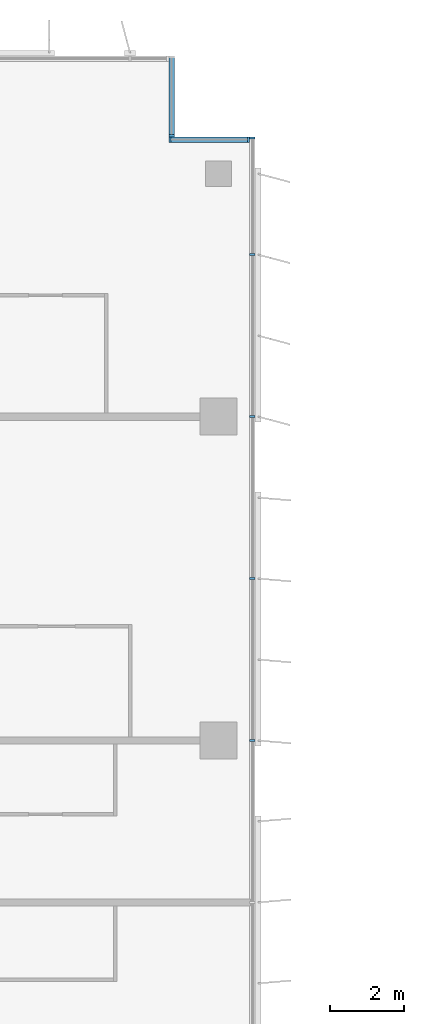
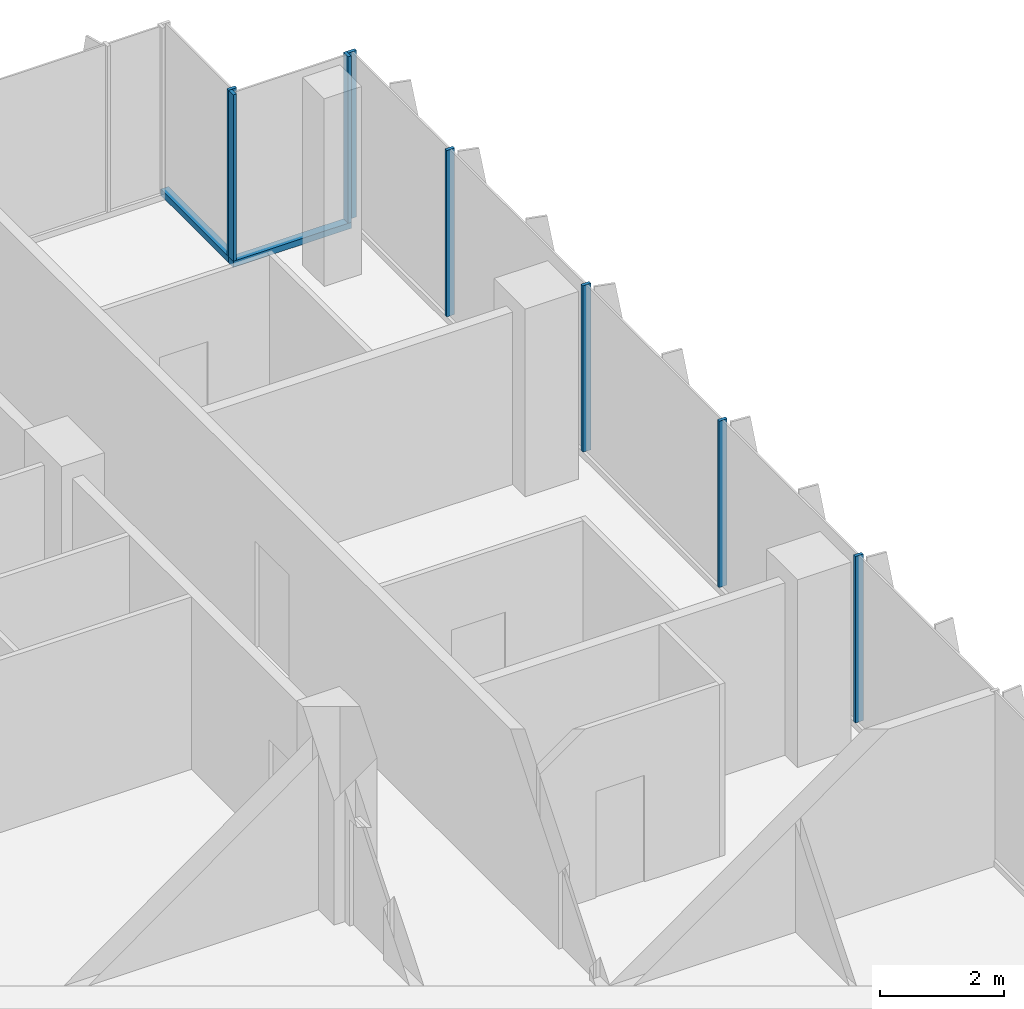
# One storey, part 7 of 21: 10 members, 3 elements without a shape of their own.
"""IFC4 building model written with IfcOpenShell, lengths in metres."""

from ifc_helpers import new_model, si_unit, direction, frame, origin, origin_2d, place, context, subcontext, project, spatial, rectangle, extrude, source, transform, mapped, material, material_profile, profile_set, type_object, element, aggregate, save


model = new_model("IFC4")

# Units and contexts
model_context = context("Model", 3, precision=1e-05, world=origin(), true_north=direction((0.0, 1.0)))
body_context = subcontext(model_context, "Body", "Model", "MODEL_VIEW")
ifc_project = project(units=[si_unit("LENGTHUNIT", "METRE"), si_unit("AREAUNIT", "SQUARE_METRE"), si_unit("VOLUMEUNIT", "CUBIC_METRE"), si_unit("PLANEANGLEUNIT", "RADIAN"), si_unit("MASSUNIT", "GRAM", prefix="KILO")], contexts=[model_context])

# Site, building, storey
site_placement = place(None, origin())
site = spatial("IfcSite", under=ifc_project, at=site_placement, CompositionType="ELEMENT")
building_placement = place(site_placement, origin())
building = spatial("IfcBuilding", under=site, at=building_placement, Name="Kemantara Hotel Tower", CompositionType="ELEMENT")
storey_placement = place(building_placement, frame((0.0, 0.0, 171.60009765625)))
storey = spatial("IfcBuildingStorey", under=building, at=storey_placement, Name="L42", CompositionType="ELEMENT", Elevation=171.60009765625)

# Curtain wall, member
ifc_material_1 = material(Name="Low-E tinted double insulated glass 36 mm", Category="glass")
curtain_wall_type = type_object("IfcCurtainWallType", Name="TOWER CURTAIN WALL, FRONT FACES", PredefinedType="USERDEFINED", material=ifc_material_1)
curtain_wall_1_placement = place(storey_placement, origin())
curtain_wall_1 = element("IfcCurtainWall", 1, at=curtain_wall_1_placement, inside=storey, type_object=curtain_wall_type, Name="CW4 L42 T3-R00-1", ObjectType="TOWER CURTAIN WALL, FRONT FACES", PredefinedType="USERDEFINED")
ifc_material_2 = material(Name="Aluminium 6063-T6 bronze anodised", Category="aluminium")
ifc_material_profile_1 = material_profile(ifc_material_2, rectangle(XDim=0.14990234375, YDim=0.1201171875, at=origin_2d()), Name="TOWER CURTAIN WALL, FRONT FACES TRANSOM")
ifc_profile_set_1 = profile_set([ifc_material_profile_1], Name="Aluminium 6063-T6 bronze anodised")
member_type_1 = type_object("IfcMemberType", Name="TOWER CURTAIN WALL, FRONT FACES TRANSOM", PredefinedType="USERDEFINED", material=ifc_profile_set_1)
member_1_placement = place(storey_placement, frame((21.85009765625, 61.324951171875, 0.059814453125), z_axis=(-1.0, 0.0, 0.0), x_axis=(0.0, -1.0, 0.0)))
member_1 = element("IfcMember", 2, at=member_1_placement, type_object=member_type_1, Name="CW4 sill transom T3-R00-1", ObjectType="TRANSOM", PredefinedType="USERDEFINED", context=body_context, shape_type="SweptSolid", body=[
    extrude(rectangle(XDim=0.14990234375, YDim=0.1201171875, at=origin_2d()), origin(), (0.0, 0.0, 1.0), 2.2001953125),
])

curtain_wall_2_placement = place(storey_placement, origin())
curtain_wall_2 = element("IfcCurtainWall", 3, at=curtain_wall_2_placement, inside=storey, type_object=curtain_wall_type, Name="CW4 L42 T3-R01-1", ObjectType="TOWER CURTAIN WALL, FRONT FACES", PredefinedType="USERDEFINED")
member_2_placement = place(storey_placement, frame((19.72509765625, 61.39990234375, 0.059814453125), z_axis=(0.0, 1.0, 0.0), x_axis=(-1.0, 0.0, 0.0)))
member_2 = element("IfcMember", 4, at=member_2_placement, type_object=member_type_1, Name="CW4 sill transom T3-R01-1", ObjectType="TRANSOM", PredefinedType="USERDEFINED", context=body_context, shape_type="SweptSolid", body=[
    extrude(rectangle(XDim=0.14990234375, YDim=0.1201171875, at=origin_2d()), origin(), (0.0, 0.0, 1.0), 2.2001953125),
])

# Curtain wall, members
curtain_wall_3_placement = place(storey_placement, origin())
curtain_wall_3 = element("IfcCurtainWall", 5, at=curtain_wall_3_placement, inside=storey, type_object=curtain_wall_type, Name="CW4 L42 T3-R17-1", ObjectType="TOWER CURTAIN WALL, FRONT FACES", PredefinedType="USERDEFINED")
ifc_material_profile_2 = material_profile(ifc_material_2, rectangle(XDim=0.14990234375, YDim=0.06005859375, at=origin_2d()), Name="TOWER CURTAIN WALL, FRONT FACES MULLION")
ifc_profile_set_2 = profile_set([ifc_material_profile_2], Name="Aluminium 6063-T6 bronze anodised")
member_type_2 = type_object("IfcMemberType", Name="TOWER CURTAIN WALL, FRONT FACES MULLION", PredefinedType="MULLION", material=ifc_profile_set_2)
shared_shape = source(origin(), body_context, "Body", "SweptSolid", [
    extrude(rectangle(XDim=0.14990234375, YDim=0.06005859375, at=origin_2d()), origin(), (0.0, 0.0, 1.0), 3.280029296875),
])
member_3_placement = place(storey_placement, frame((21.925048828125, 45.0, 0.119873046875), z_axis=(0.0, 0.0, 1.0), x_axis=(-1.0, 0.0, 0.0)))
member_3 = element("IfcMember", 6, at=member_3_placement, type_object=member_type_2, Name="CW4 mullion T3-R17-1.6", PredefinedType="MULLION", context=body_context, shape_type="MappedRepresentation", body=[
    mapped(shared_shape, transform((0.0, 0.0, 0.0))),
])
member_4_placement = place(storey_placement, frame((21.925048828125, 49.39990234375, 0.119873046875), z_axis=(0.0, 0.0, 1.0), x_axis=(-1.0, 0.0, 0.0)))
member_4 = element("IfcMember", 7, at=member_4_placement, type_object=member_type_2, Name="CW4 mullion T3-R17-1.7", PredefinedType="MULLION", context=body_context, shape_type="MappedRepresentation", body=[
    mapped(shared_shape, transform((0.0, 0.0, 0.0))),
])
member_5_placement = place(storey_placement, frame((21.925048828125, 53.800048828125, 0.119873046875), z_axis=(0.0, 0.0, 1.0), x_axis=(-1.0, 0.0, 0.0)))
member_5 = element("IfcMember", 8, at=member_5_placement, type_object=member_type_2, Name="CW4 mullion T3-R17-1.8", PredefinedType="MULLION", context=body_context, shape_type="MappedRepresentation", body=[
    mapped(shared_shape, transform((0.0, 0.0, 0.0))),
])
member_6_placement = place(storey_placement, frame((21.925048828125, 58.199951171875, 0.119873046875), z_axis=(0.0, 0.0, 1.0), x_axis=(-1.0, 0.0, 0.0)))
member_6 = element("IfcMember", 9, at=member_6_placement, type_object=member_type_2, Name="CW4 mullion T3-R17-1.9", PredefinedType="MULLION", context=body_context, shape_type="MappedRepresentation", body=[
    mapped(shared_shape, transform((0.0, 0.0, 0.0))),
])
member_7_placement = place(storey_placement, frame((21.925048828125, 61.3701171875, 0.119873046875), z_axis=(0.0, 0.0, 1.0), x_axis=(-1.0, 0.0, 0.0)))
member_7 = element("IfcMember", 10, at=member_7_placement, type_object=member_type_2, Name="CW4 mullion T3-R17-1.10", PredefinedType="MULLION", context=body_context, shape_type="MappedRepresentation", body=[
    mapped(shared_shape, transform((0.0, 0.0, 0.0))),
])
aggregate(curtain_wall_3, [member_3, member_4, member_5, member_6, member_7])

# Member
member_8_placement = place(storey_placement, frame((21.820068359375, 61.324951171875, 0.119873046875), z_axis=(0.0, 0.0, 1.0), x_axis=(0.0, -1.0, 0.0)))
member_8 = element("IfcMember", 11, at=member_8_placement, type_object=member_type_2, Name="CW4 mullion T3-R00-1.1", PredefinedType="MULLION", context=body_context, shape_type="MappedRepresentation", body=[
    mapped(shared_shape, transform((0.0, 0.0, 0.0))),
])

member_9_placement = place(storey_placement, frame((19.679931640625, 61.324951171875, 0.119873046875), z_axis=(0.0, 0.0, 1.0), x_axis=(0.0, -1.0, 0.0)))
member_9 = element("IfcMember", 12, at=member_9_placement, type_object=member_type_2, Name="CW4 mullion T3-R00-1.2", PredefinedType="MULLION", context=body_context, shape_type="MappedRepresentation", body=[
    mapped(shared_shape, transform((0.0, 0.0, 0.0))),
])

aggregate(curtain_wall_1, [member_1, member_8, member_9])

member_10_placement = place(storey_placement, frame((19.72509765625, 61.429931640625, 0.119873046875), z_axis=(0.0, 0.0, 1.0), x_axis=(-1.0, 0.0, 0.0)))
member_10 = element("IfcMember", 13, at=member_10_placement, type_object=member_type_2, Name="CW4 mullion T3-R01-1.1", PredefinedType="MULLION", context=body_context, shape_type="MappedRepresentation", body=[
    mapped(shared_shape, transform((0.0, 0.0, 0.0))),
])

aggregate(curtain_wall_2, [member_2, member_10])

save(model, "model.ifc")
